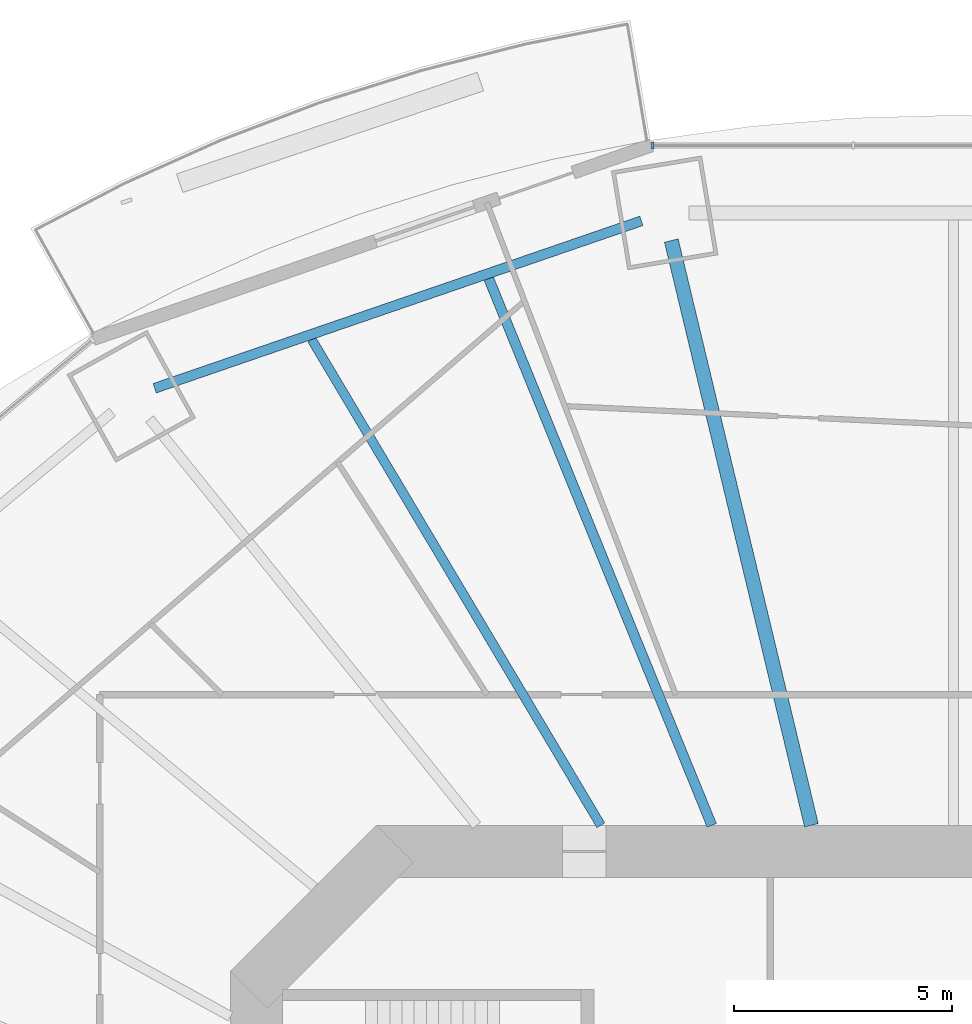
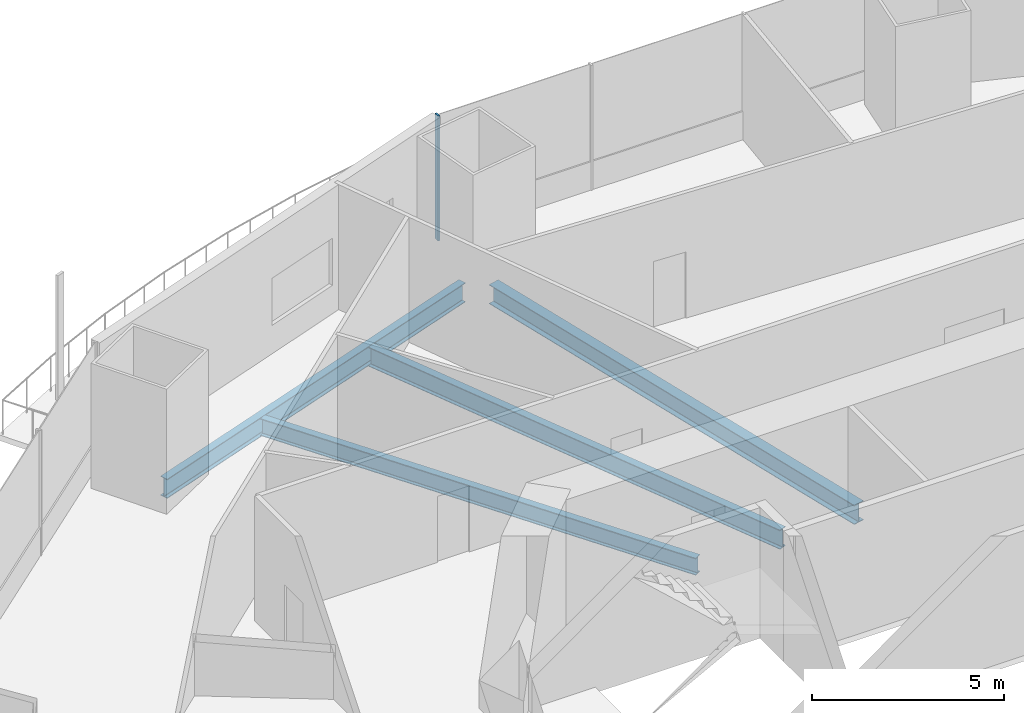
# One storey, part 7 of 22: 4 beams, 1 member, 1 element without a shape of its own.
"""IFC4 building model written with IfcOpenShell, lengths in metres."""

import ifcopenshell
import ifcopenshell.guid

model = None  # the IFC model being written
_history = None  # IfcOwnerHistory: only IFC2X3 demands one
_inside = {}  # id of a spatial element -> (the spatial element, [elements in it])
_under = {}  # id of a project, library or spatial element -> (it, [spatial elements below it])
_declared = {}  # id of a project -> (the project, [libraries it declares])
_typed = {}  # id of a type object -> (the type object, [elements of that type])
_made_of = {}  # id of a material, layer set ... -> (it, [elements and type objects made of it])


def new_model(schema):
    """Start an empty IFC model of exactly this schema.

    Asked for "IFC4X3", IfcOpenShell would pick the latest addendum, in which some entities
    have other attributes; the version numbers below select the first issue.
    IFC2X3 requires an IfcOwnerHistory on every rooted entity: one is made here for all.
    """
    global model, _history
    if schema == "IFC4X3":
        model = ifcopenshell.file(schema_version=(4, 3, 0, 0))
    else:
        model = ifcopenshell.file(schema=schema)
    _inside.clear()
    _under.clear()
    _declared.clear()
    _typed.clear()
    _made_of.clear()
    _history = None
    if model.schema == "IFC2X3":
        org = make("IfcOrganization", Name="unknown")
        user = make(
            "IfcPersonAndOrganization",
            ThePerson=make("IfcPerson", FamilyName="unknown"),
            TheOrganization=org,
        )
        app = make(
            "IfcApplication",
            ApplicationDeveloper=org,
            Version="unknown",
            ApplicationFullName="unknown",
            ApplicationIdentifier="unknown",
        )
        _history = make(
            "IfcOwnerHistory",
            OwningUser=user,
            OwningApplication=app,
            ChangeAction="ADDED",
            CreationDate=0,
        )
    return model


def make(cls, **values):
    """One entity of the class cls with the attributes given. An attribute that is None is left unset."""
    return model.create_entity(
        cls, **{name: value for name, value in values.items() if value is not None}
    )


def rooted(cls, **values):
    """An entity with a GlobalId (a new one), such as an element, a storey or a relation."""
    return make(cls, GlobalId=ifcopenshell.guid.new(), OwnerHistory=_history, **values)


def si_unit(unit_type, name, prefix=None):
    """IfcSIUnit, for example si_unit("LENGTHUNIT", "METRE", prefix="MILLI")."""
    return make("IfcSIUnit", UnitType=unit_type, Prefix=prefix, Name=name)


def assignment(units):
    """IfcUnitAssignment: the units of a project."""
    return None if units is None else make("IfcUnitAssignment", Units=units)


def point(xyz):
    """IfcCartesianPoint."""
    return None if xyz is None else make("IfcCartesianPoint", Coordinates=xyz)


def direction(xyz):
    """IfcDirection."""
    return None if xyz is None else make("IfcDirection", DirectionRatios=xyz)


def frame(location, z_axis=None, x_axis=None):
    """IfcAxis2Placement3D, a coordinate frame: its origin and axes. An axis left out is left unset."""
    return make(
        "IfcAxis2Placement3D",
        Location=point(location),
        Axis=direction(z_axis),
        RefDirection=direction(x_axis),
    )


def frame_2d(location, x_axis=None):
    """IfcAxis2Placement2D, a coordinate frame in the plane: its origin and x axis."""
    return make(
        "IfcAxis2Placement2D", Location=point(location), RefDirection=direction(x_axis)
    )


def origin():
    """The frame at (0, 0, 0) with its axes left unset."""
    return frame((0.0, 0.0, 0.0))


def origin_2d():
    """The frame at (0, 0) in the plane with its x axis left unset."""
    return frame_2d((0.0, 0.0))


def place(relative_to, where):
    """IfcLocalPlacement: puts the frame where relative to a parent placement (None: the world)."""
    return make(
        "IfcLocalPlacement", PlacementRelTo=relative_to, RelativePlacement=where
    )


def context(
    kind, dimensions, precision=None, world=None, true_north=None, identifier=None
):
    """IfcGeometricRepresentationContext, for example the 3D "Model" context."""
    return make(
        "IfcGeometricRepresentationContext",
        ContextIdentifier=identifier,
        ContextType=kind,
        CoordinateSpaceDimension=dimensions,
        Precision=precision,
        WorldCoordinateSystem=world,
        TrueNorth=true_north,
    )


def subcontext(parent, identifier, kind, view, scale=None):
    """IfcGeometricRepresentationSubContext, for example "Body" below "Model"."""
    return make(
        "IfcGeometricRepresentationSubContext",
        ContextIdentifier=identifier,
        ContextType=kind,
        ParentContext=parent,
        TargetScale=scale,
        TargetView=view,
    )


def project(units=None, contexts=None):
    """IfcProject with its units and contexts."""
    return rooted(
        "IfcProject",
        Name="project",
        RepresentationContexts=contexts,
        UnitsInContext=assignment(units),
    )


def spatial(cls, under=None, at=None, **own):
    """A site, building, storey or space (cls), placed at a placement, below another one or the project."""
    s = rooted(cls, ObjectPlacement=at, **own)
    if under is not None:
        _under.setdefault(under.id(), (under, []))[1].append(s)
    return s


def profile(cls, at=None, kind="AREA", **sizes):
    """A parametric profile (cls). Its sizes go by their IFC names, for example OverallWidth=200.0."""
    return make(cls, ProfileType=kind, Position=at, **sizes)


def rectangle(**sizes):
    """IfcRectangleProfileDef."""
    return profile("IfcRectangleProfileDef", **sizes)


def i_section(**sizes):
    """IfcIShapeProfileDef."""
    return profile("IfcIShapeProfileDef", **sizes)


def extrude(swept, where, along, depth):
    """IfcExtrudedAreaSolid: the profile swept, set in the frame where, extruded along a direction by depth."""
    return make(
        "IfcExtrudedAreaSolid",
        SweptArea=swept,
        Position=where,
        ExtrudedDirection=direction(along),
        Depth=depth,
    )


def shape(context_of_items, identifier, shape_type, items):
    """IfcShapeRepresentation: the items that make up one representation, for example the "Body"."""
    return make(
        "IfcShapeRepresentation",
        ContextOfItems=context_of_items,
        RepresentationIdentifier=identifier,
        RepresentationType=shape_type,
        Items=items,
    )


def material(Name=None, Category=None):
    """IfcMaterial."""
    return make("IfcMaterial", Name=Name, Category=Category)


def material_profile(
    of_material, cross_section, Name=None, Category=None, Priority=None
):
    """IfcMaterialProfile: a cross section and its material."""
    return make(
        "IfcMaterialProfile",
        Name=Name,
        Material=of_material,
        Profile=cross_section,
        Priority=Priority,
        Category=Category,
    )


def profile_set(profiles, Name=None, composite=None):
    """IfcMaterialProfileSet."""
    return make(
        "IfcMaterialProfileSet",
        Name=Name,
        MaterialProfiles=profiles,
        CompositeProfile=composite,
    )


def made_of(thing, what):
    """Note that an element or type object is made of a material, layer set ...; save() writes the relation."""
    if what is not None:
        _made_of.setdefault(what.id(), (what, []))[1].append(thing)
    return thing


def type_object(cls, material=None, **own):
    """A type object (cls), such as IfcWallType, which elements share."""
    return made_of(rooted(cls, **own), material)


def element(
    cls,
    number,
    at=None,
    inside=None,
    cuts=None,
    type_object=None,
    material=None,
    context=None,
    identifier="Body",
    shape_type=None,
    held_by="IfcProductDefinitionShape",
    body=None,
    shapes=None,
    **own,
):
    """One element of the class cls, such as IfcWall. Its Tag is "e" and its number.

    at: its placement. inside: the storey or other place that contains it. cuts: it is an
    opening in that element (IfcRelVoidsElement). A single representation is given by context,
    identifier, shape_type and body (its items); several are given by shapes. held_by: the class
    of the entity that holds the representations. save() writes the other relations.
    """
    e = rooted(cls, Tag="e%d" % number, ObjectPlacement=at, **own)
    if body is not None:
        shapes = [shape(context, identifier, shape_type, body)]
    if shapes is not None:
        e.Representation = make(held_by, Representations=shapes)
    if inside is not None:
        _inside.setdefault(inside.id(), (inside, []))[1].append(e)
    if cuts is not None:
        rooted(
            "IfcRelVoidsElement", RelatingBuildingElement=cuts, RelatedOpeningElement=e
        )
    if type_object is not None:
        _typed.setdefault(type_object.id(), (type_object, []))[1].append(e)
    return made_of(e, material)


def aggregate(whole, parts):
    """IfcRelAggregates: a whole, such as a stair, and the parts it consists of."""
    return rooted("IfcRelAggregates", RelatingObject=whole, RelatedObjects=parts)


def save(model, path):
    """Write the relations noted so far, then the file.

    IfcRelAggregates (storeys below a building ...), IfcRelContainedInSpatialStructure (elements
    in a storey), IfcRelDefinesByType, IfcRelAssociatesMaterial and IfcRelDeclares: one each for
    every whole, place, type object, material and project.
    """
    for whole, parts in _under.values():
        aggregate(whole, parts)
    for where, things in _inside.values():
        rooted(
            "IfcRelContainedInSpatialStructure",
            RelatedElements=things,
            RelatingStructure=where,
        )
    for kind, things in _typed.values():
        rooted("IfcRelDefinesByType", RelatedObjects=things, RelatingType=kind)
    for what, things in _made_of.values():
        rooted("IfcRelAssociatesMaterial", RelatedObjects=things, RelatingMaterial=what)
    for by, libraries in _declared.values():
        rooted("IfcRelDeclares", RelatingContext=by, RelatedDefinitions=libraries)
    model.write(path)


model = new_model("IFC4")

# Units and contexts
model_context = context("Model", 3, precision=1e-05, world=origin(), true_north=direction((0.0, 1.0)))
body_context = subcontext(model_context, "Body", "Model", "MODEL_VIEW")
ifc_project = project(units=[si_unit("LENGTHUNIT", "METRE"), si_unit("AREAUNIT", "SQUARE_METRE"), si_unit("VOLUMEUNIT", "CUBIC_METRE"), si_unit("PLANEANGLEUNIT", "RADIAN"), si_unit("MASSUNIT", "GRAM", prefix="KILO")], contexts=[model_context])

# Site, building, storey
site_placement = place(None, origin())
site = spatial("IfcSite", under=ifc_project, at=site_placement, CompositionType="ELEMENT")
building_placement = place(site_placement, origin())
building = spatial("IfcBuilding", under=site, at=building_placement, Name="Marenthal Gate Tower", CompositionType="ELEMENT")
storey_placement = place(building_placement, frame((0.0, 0.0, 78.64990234375)))
storey = spatial("IfcBuildingStorey", under=building, at=storey_placement, Name="L15", CompositionType="ELEMENT", Elevation=78.64990234375)

# Curtain wall, member
ifc_material_1 = material(Name="Aluminium and glass", Category="aluminium")
curtain_wall_type = type_object("IfcCurtainWallType", Name="Curtain wall typical low", PredefinedType="NOTDEFINED", material=ifc_material_1)
curtain_wall_placement = place(storey_placement, origin())
curtain_wall = element("IfcCurtainWall", 1, at=curtain_wall_placement, inside=storey, type_object=curtain_wall_type, Name="Curtain wall L15 bay 4", PredefinedType="NOTDEFINED")
ifc_material_2 = material(Name="Aluminium", Category="aluminium")
ifc_material_profile_1 = material_profile(ifc_material_2, rectangle(XDim=0.159912109375, YDim=0.06005859375, at=origin_2d()), Name="60x160 aluminium mullion")
ifc_profile_set_1 = profile_set([ifc_material_profile_1], Name="Aluminium")
member_type = type_object("IfcMemberType", Name="Mullion 60x160 typical low", PredefinedType="MULLION", material=ifc_profile_set_1)
member_placement = place(storey_placement, frame((-6.906005859375, 29.211669921875, 0.0), z_axis=(0.0, 0.0, 1.0), x_axis=(0.0, -1.0, 0.0)))
member = element("IfcMember", 2, at=member_placement, type_object=member_type, Name="Mullion L15 bay 4.4", PredefinedType="MULLION", context=body_context, shape_type="SweptSolid", body=[
    extrude(rectangle(XDim=0.159912109375, YDim=0.06005859375, at=origin_2d()), origin(), (0.0, 0.0, 1.0), 3.97021484375),
])
aggregate(curtain_wall, [member])

# Beams
ifc_material_3 = material(Name="Steel S355", Category="steel")
ifc_material_profile_2 = material_profile(ifc_material_3, i_section(OverallWidth=0.2119140625, OverallDepth=0.5439453125, WebThickness=0.01318359375, FlangeThickness=0.021240234375, FilletRadius=0.0126953125, at=origin_2d()), Name="W530X123")
ifc_profile_set_2 = profile_set([ifc_material_profile_2], Name="Steel S355")
beam_type_1 = type_object("IfcBeamType", Name="W530X123 beam", PredefinedType="BEAM", material=ifc_profile_set_2)
beam_1_placement = place(storey_placement, frame((-14.732421875, 24.754150390625, -0.451904296875), z_axis=(0.511433266122, -0.859322997658, 0.0), x_axis=(0.859322997658, 0.511433266122, 0.0)))
element("IfcBeam", 3, at=beam_1_placement, inside=storey, type_object=beam_type_1, Name="BM-L15-24", PredefinedType="BEAM", context=body_context, shape_type="SweptSolid", body=[
    extrude(i_section(OverallWidth=0.2119140625, OverallDepth=0.5439453125, WebThickness=0.01318359375, FlangeThickness=0.021240234375, FilletRadius=0.0126953125, at=origin_2d()), origin(), (0.0, 0.0, 1.0), 12.97998046875),
])
ifc_material_4 = material(Name="Steel S355", Category="steel")
ifc_material_profile_3 = material_profile(ifc_material_4, i_section(OverallWidth=0.22900390625, OverallDepth=0.612060546875, WebThickness=0.011962890625, FlangeThickness=0.01953125, FilletRadius=0.0126953125, at=origin_2d()), Name="W610X125")
ifc_profile_set_3 = profile_set([ifc_material_profile_3], Name="Steel S355")
beam_type_2 = type_object("IfcBeamType", Name="W610X125 beam", PredefinedType="BEAM", material=ifc_profile_set_3)
beam_2_placement = place(storey_placement, frame((-10.666748046875, 26.152099609375, -0.48583984375), z_axis=(0.377666991807, -0.925941490214, 0.0), x_axis=(0.925941490214, 0.377666991807, 0.0)))
element("IfcBeam", 4, at=beam_2_placement, inside=storey, type_object=beam_type_2, Name="BM-L15-23", PredefinedType="BEAM", context=body_context, shape_type="SweptSolid", body=[
    extrude(i_section(OverallWidth=0.22900390625, OverallDepth=0.612060546875, WebThickness=0.011962890625, FlangeThickness=0.01953125, FilletRadius=0.0126953125, at=origin_2d()), origin(), (0.0, 0.0, 1.0), 13.555908203125),
])
beam_3_placement = place(storey_placement, frame((-7.162109375, 27.478515625, -0.48583984375), z_axis=(-0.94564769726, -0.325192916076, 0.0), x_axis=(0.325192916076, -0.94564769726, 0.0)))
element("IfcBeam", 5, at=beam_3_placement, inside=storey, type_object=beam_type_2, Name="BM-L15-45", PredefinedType="BEAM", context=body_context, shape_type="SweptSolid", body=[
    extrude(i_section(OverallWidth=0.22900390625, OverallDepth=0.612060546875, WebThickness=0.011962890625, FlangeThickness=0.01953125, FilletRadius=0.0126953125, at=origin_2d()), origin(), (0.0, 0.0, 1.0), 11.819091796875),
])
ifc_material_5 = material(Name="Steel S355", Category="steel")
ifc_material_profile_4 = material_profile(ifc_material_5, i_section(OverallWidth=0.324951171875, OverallDepth=0.612060546875, WebThickness=0.0126953125, FlangeThickness=0.01904296875, FilletRadius=0.0126953125, at=origin_2d()), Name="W610X155")
ifc_profile_set_4 = profile_set([ifc_material_profile_4], Name="Steel S355")
beam_type_3 = type_object("IfcBeamType", Name="W610X155 beam", PredefinedType="BEAM", material=ifc_profile_set_4)
beam_4_placement = place(storey_placement, frame((-6.4755859375, 27.027099609375, -0.48583984375), z_axis=(0.233000428797, -0.972476632203, 0.0), x_axis=(0.972476632203, 0.233000428797, 0.0)))
element("IfcBeam", 6, at=beam_4_placement, inside=storey, type_object=beam_type_3, Name="BM-L15-05", PredefinedType="BEAM", context=body_context, shape_type="SweptSolid", body=[
    extrude(i_section(OverallWidth=0.324951171875, OverallDepth=0.612060546875, WebThickness=0.0126953125, FlangeThickness=0.01904296875, FilletRadius=0.0126953125, at=origin_2d()), origin(), (0.0, 0.0, 1.0), 13.80712890625),
])

save(model, "model.ifc")
